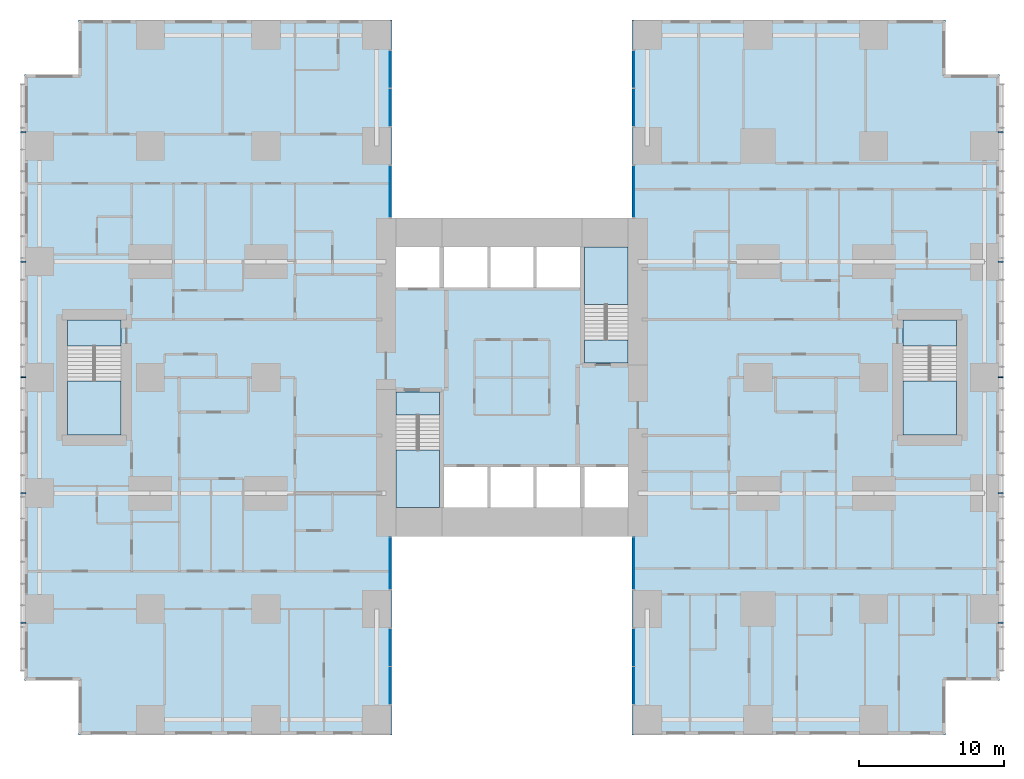
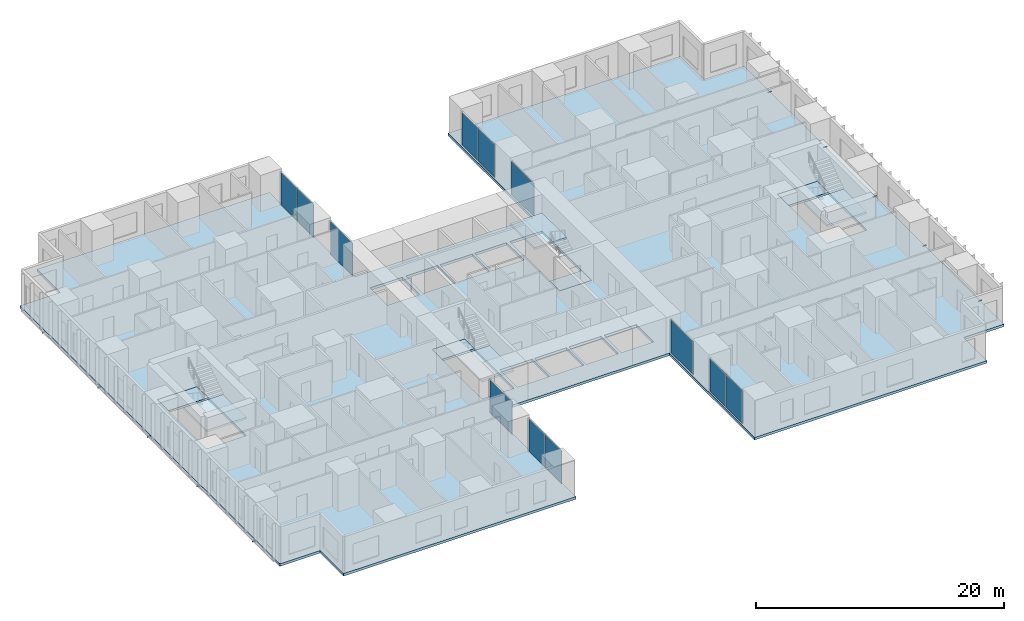
# One storey, part 7 of 20: 12 plates, 10 members, 9 slabs, 12 elements without a shape of their own.
"""IFC4 building model written with IfcOpenShell, lengths in metres."""

from ifc_helpers import new_model, si_unit, direction, frame, origin, origin_2d, place, context, subcontext, project, spatial, polyline, rectangle, hollow_rectangle, outline, extrude, material, layer, layer_set, material_profile, profile_set, type_object, element, aggregate, save


model = new_model("IFC4")

# Units and contexts
model_context = context("Model", 3, precision=1e-05, world=origin(), true_north=direction((0.0, 1.0)))
body_context = subcontext(model_context, "Body", "Model", "MODEL_VIEW")
ifc_project = project(units=[si_unit("LENGTHUNIT", "METRE"), si_unit("AREAUNIT", "SQUARE_METRE"), si_unit("VOLUMEUNIT", "CUBIC_METRE"), si_unit("PLANEANGLEUNIT", "RADIAN"), si_unit("MASSUNIT", "GRAM", prefix="KILO")], contexts=[model_context])

# Site, building, storey
site_placement = place(None, origin())
site = spatial("IfcSite", under=ifc_project, at=site_placement, CompositionType="ELEMENT")
building_placement = place(site_placement, origin())
building = spatial("IfcBuilding", under=site, at=building_placement, Name="Cleftline Residences", CompositionType="ELEMENT")
storey_placement = place(building_placement, frame((0.0, 0.0, 51.199951171875)))
storey = spatial("IfcBuildingStorey", under=building, at=storey_placement, Name="L12", CompositionType="ELEMENT", Elevation=51.199951171875)

# Members
ifc_material_1 = material(Name="Steel S355, hot-dip galvanised", Category="steel")
ifc_material_profile = material_profile(ifc_material_1, hollow_rectangle(XDim=0.10009765625, YDim=0.10009765625, WallThickness=0.008056640625, InnerFilletRadius=0.008056640625, OuterFilletRadius=0.011962890625, at=origin_2d()))
ifc_profile_set = profile_set([ifc_material_profile], Name="Steel S355, hot-dip galvanised")
member_type = type_object("IfcMemberType", Name="BAGUETTE BRACKET SHS 100X100X8", PredefinedType="USERDEFINED", material=ifc_profile_set)
for number, where, z_axis, x_axis, name in (
    (1, (66.60009765625, 7.050048828125, -0.14990234375), (1.0, 0.0, 0.0), (0.0, 1.0, 0.0), "Baguette bracket"),
    (2, (66.60009765625, 16.0, -0.14990234375), (1.0, 0.0, 0.0), (0.0, 1.0, 0.0), "Baguette bracket"),
    (3, (66.60009765625, 24.0, -0.14990234375), (1.0, 0.0, 0.0), (0.0, 1.0, 0.0), "Baguette bracket"),
    (4, (66.60009765625, 32.0, -0.14990234375), (1.0, 0.0, 0.0), (0.0, 1.0, 0.0), "Baguette bracket"),
    (5, (66.60009765625, 40.949951171875, -0.14990234375), (1.0, 0.0, 0.0), (0.0, 1.0, 0.0), "Baguette bracket"),
    (6, (-0.60009765625, 40.949951171875, -0.14990234375), (-1.0, 0.0, 0.0), (0.0, -1.0, 0.0), "Baguette bracket"),
    (7, (-0.60009765625, 32.0, -0.14990234375), (-1.0, 0.0, 0.0), (0.0, -1.0, 0.0), "Baguette bracket"),
    (8, (-0.60009765625, 24.0, -0.14990234375), (-1.0, 0.0, 0.0), (0.0, -1.0, 0.0), "Baguette bracket"),
    (9, (-0.60009765625, 16.0, -0.14990234375), (-1.0, 0.0, 0.0), (0.0, -1.0, 0.0), "Baguette bracket"),
    (10, (-0.60009765625, 7.050048828125, -0.14990234375), (-1.0, 0.0, 0.0), (0.0, -1.0, 0.0), "Baguette bracket"),
):
    element("IfcMember", number, at=place(storey_placement, frame(where, z_axis=z_axis, x_axis=x_axis)), inside=storey, type_object=member_type, Name=name, ObjectType="BAGUETTE BRACKET", PredefinedType="USERDEFINED", context=body_context, shape_type="SweptSolid", body=[
        extrude(hollow_rectangle(XDim=0.10009765625, YDim=0.10009765625, WallThickness=0.008056640625, InnerFilletRadius=0.008056640625, OuterFilletRadius=0.011962890625, at=origin_2d()), origin(), (0.0, 0.0, 1.0), 0.349853515625),
    ])

# Curtain wall, plates
ifc_material_2 = material(Name="Aluminium framed curtain wall", Category="aluminium")
ifc_layer_1 = layer(ifc_material_2, 0.199951171875)
ifc_layer_set_1 = layer_set([ifc_layer_1], Name="CW1 CLEFT GLAZING")
curtain_wall_type = type_object("IfcCurtainWallType", Name="CW1 CLEFT GLAZING", PredefinedType="NOTDEFINED", material=ifc_layer_set_1)
curtain_wall_1_placement = place(storey_placement, origin())
curtain_wall_1 = element("IfcCurtainWall", 11, at=curtain_wall_1_placement, inside=storey, type_object=curtain_wall_type, Name="Curtain wall CW1", PredefinedType="NOTDEFINED")
ifc_material_3 = material(Name="Laminated clear glass", Category="glass")
ifc_layer_2 = layer(ifc_material_3, 0.028076171875)
ifc_layer_set_2 = layer_set([ifc_layer_2], Name="CW1 GLASS PANEL")
plate_type = type_object("IfcPlateType", Name="CW1 GLASS PANEL", PredefinedType="CURTAIN_PANEL", material=ifc_layer_set_2)
plate_1_placement = place(storey_placement, frame((24.574951171875, 2.702392578125, 0.06005859375), z_axis=(0.0, 0.0, 1.0), x_axis=(0.0, 1.0, 0.0)))
plate_1 = element("IfcPlate", 12, at=plate_1_placement, type_object=plate_type, Name="CW1 panel 1.1", PredefinedType="CURTAIN_PANEL", context=body_context, shape_type="SweptSolid", body=[
    extrude(rectangle(XDim=2.5849609375, YDim=0.028076171875, at=origin_2d()), origin(), (0.0, 0.0, 1.0), 3.22998046875),
])
plate_2_placement = place(storey_placement, frame((24.574951171875, 5.347412109375, 0.06005859375), z_axis=(0.0, 0.0, 1.0), x_axis=(0.0, 1.0, 0.0)))
plate_2 = element("IfcPlate", 13, at=plate_2_placement, type_object=plate_type, Name="CW1 panel 2.1", PredefinedType="CURTAIN_PANEL", context=body_context, shape_type="SweptSolid", body=[
    extrude(rectangle(XDim=2.5849609375, YDim=0.028076171875, at=origin_2d()), origin(), (0.0, 0.0, 1.0), 3.22998046875),
])
aggregate(curtain_wall_1, [plate_1, plate_2])

# Curtain wall, plate
curtain_wall_2_placement = place(storey_placement, origin())
curtain_wall_2 = element("IfcCurtainWall", 14, at=curtain_wall_2_placement, inside=storey, type_object=curtain_wall_type, Name="Curtain wall CW1", PredefinedType="NOTDEFINED")
plate_3_placement = place(storey_placement, frame((24.574951171875, 11.14990234375, 0.06005859375), z_axis=(0.0, 0.0, 1.0), x_axis=(0.0, 1.0, 0.0)))
plate_3 = element("IfcPlate", 15, at=plate_3_placement, type_object=plate_type, Name="CW1 panel 1.1", PredefinedType="CURTAIN_PANEL", context=body_context, shape_type="SweptSolid", body=[
    extrude(rectangle(XDim=3.580078125, YDim=0.028076171875, at=origin_2d()), origin(), (0.0, 0.0, 1.0), 3.22998046875),
])
aggregate(curtain_wall_2, [plate_3])

curtain_wall_3_placement = place(storey_placement, origin())
curtain_wall_3 = element("IfcCurtainWall", 16, at=curtain_wall_3_placement, inside=storey, type_object=curtain_wall_type, Name="Curtain wall CW1", PredefinedType="NOTDEFINED")
plate_4_placement = place(storey_placement, frame((41.425048828125, 11.14990234375, 0.06005859375), z_axis=(0.0, 0.0, 1.0), x_axis=(0.0, -1.0, 0.0)))
plate_4 = element("IfcPlate", 17, at=plate_4_placement, type_object=plate_type, Name="CW1 panel 1.1", PredefinedType="CURTAIN_PANEL", context=body_context, shape_type="SweptSolid", body=[
    extrude(rectangle(XDim=3.580078125, YDim=0.028076171875, at=origin_2d()), origin(), (0.0, 0.0, 1.0), 3.22998046875),
])
aggregate(curtain_wall_3, [plate_4])

# Curtain wall, plates
curtain_wall_4_placement = place(storey_placement, origin())
curtain_wall_4 = element("IfcCurtainWall", 18, at=curtain_wall_4_placement, inside=storey, type_object=curtain_wall_type, Name="Curtain wall CW1", PredefinedType="NOTDEFINED")
plate_5_placement = place(storey_placement, frame((41.425048828125, 5.347412109375, 0.06005859375), z_axis=(0.0, 0.0, 1.0), x_axis=(0.0, -1.0, 0.0)))
plate_5 = element("IfcPlate", 19, at=plate_5_placement, type_object=plate_type, Name="CW1 panel 1.1", PredefinedType="CURTAIN_PANEL", context=body_context, shape_type="SweptSolid", body=[
    extrude(rectangle(XDim=2.5849609375, YDim=0.028076171875, at=origin_2d()), origin(), (0.0, 0.0, 1.0), 3.22998046875),
])
plate_6_placement = place(storey_placement, frame((41.425048828125, 2.702392578125, 0.06005859375), z_axis=(0.0, 0.0, 1.0), x_axis=(0.0, -1.0, 0.0)))
plate_6 = element("IfcPlate", 20, at=plate_6_placement, type_object=plate_type, Name="CW1 panel 2.1", PredefinedType="CURTAIN_PANEL", context=body_context, shape_type="SweptSolid", body=[
    extrude(rectangle(XDim=2.5849609375, YDim=0.028076171875, at=origin_2d()), origin(), (0.0, 0.0, 1.0), 3.22998046875),
])
aggregate(curtain_wall_4, [plate_5, plate_6])

curtain_wall_5_placement = place(storey_placement, origin())
curtain_wall_5 = element("IfcCurtainWall", 21, at=curtain_wall_5_placement, inside=storey, type_object=curtain_wall_type, Name="Curtain wall CW1", PredefinedType="NOTDEFINED")
plate_7_placement = place(storey_placement, frame((41.425048828125, 45.297607421875, 0.06005859375), z_axis=(0.0, 0.0, 1.0), x_axis=(0.0, -1.0, 0.0)))
plate_7 = element("IfcPlate", 22, at=plate_7_placement, type_object=plate_type, Name="CW1 panel 1.1", PredefinedType="CURTAIN_PANEL", context=body_context, shape_type="SweptSolid", body=[
    extrude(rectangle(XDim=2.5849609375, YDim=0.028076171875, at=origin_2d()), origin(), (0.0, 0.0, 1.0), 3.22998046875),
])
plate_8_placement = place(storey_placement, frame((41.425048828125, 42.652587890625, 0.06005859375), z_axis=(0.0, 0.0, 1.0), x_axis=(0.0, -1.0, 0.0)))
plate_8 = element("IfcPlate", 23, at=plate_8_placement, type_object=plate_type, Name="CW1 panel 2.1", PredefinedType="CURTAIN_PANEL", context=body_context, shape_type="SweptSolid", body=[
    extrude(rectangle(XDim=2.5849609375, YDim=0.028076171875, at=origin_2d()), origin(), (0.0, 0.0, 1.0), 3.22998046875),
])
aggregate(curtain_wall_5, [plate_7, plate_8])

# Curtain wall, plate
curtain_wall_6_placement = place(storey_placement, origin())
curtain_wall_6 = element("IfcCurtainWall", 24, at=curtain_wall_6_placement, inside=storey, type_object=curtain_wall_type, Name="Curtain wall CW1", PredefinedType="NOTDEFINED")
plate_9_placement = place(storey_placement, frame((41.425048828125, 36.85009765625, 0.06005859375), z_axis=(0.0, 0.0, 1.0), x_axis=(0.0, -1.0, 0.0)))
plate_9 = element("IfcPlate", 25, at=plate_9_placement, type_object=plate_type, Name="CW1 panel 1.1", PredefinedType="CURTAIN_PANEL", context=body_context, shape_type="SweptSolid", body=[
    extrude(rectangle(XDim=3.580078125, YDim=0.028076171875, at=origin_2d()), origin(), (0.0, 0.0, 1.0), 3.22998046875),
])
aggregate(curtain_wall_6, [plate_9])

curtain_wall_7_placement = place(storey_placement, origin())
curtain_wall_7 = element("IfcCurtainWall", 26, at=curtain_wall_7_placement, inside=storey, type_object=curtain_wall_type, Name="Curtain wall CW1", PredefinedType="NOTDEFINED")
plate_10_placement = place(storey_placement, frame((24.574951171875, 36.85009765625, 0.06005859375), z_axis=(0.0, 0.0, 1.0), x_axis=(0.0, 1.0, 0.0)))
plate_10 = element("IfcPlate", 27, at=plate_10_placement, type_object=plate_type, Name="CW1 panel 1.1", PredefinedType="CURTAIN_PANEL", context=body_context, shape_type="SweptSolid", body=[
    extrude(rectangle(XDim=3.580078125, YDim=0.028076171875, at=origin_2d()), origin(), (0.0, 0.0, 1.0), 3.22998046875),
])
aggregate(curtain_wall_7, [plate_10])

# Curtain wall, plates
curtain_wall_8_placement = place(storey_placement, origin())
curtain_wall_8 = element("IfcCurtainWall", 28, at=curtain_wall_8_placement, inside=storey, type_object=curtain_wall_type, Name="Curtain wall CW1", PredefinedType="NOTDEFINED")
plate_11_placement = place(storey_placement, frame((24.574951171875, 42.652587890625, 0.06005859375), z_axis=(0.0, 0.0, 1.0), x_axis=(0.0, 1.0, 0.0)))
plate_11 = element("IfcPlate", 29, at=plate_11_placement, type_object=plate_type, Name="CW1 panel 1.1", PredefinedType="CURTAIN_PANEL", context=body_context, shape_type="SweptSolid", body=[
    extrude(rectangle(XDim=2.5849609375, YDim=0.028076171875, at=origin_2d()), origin(), (0.0, 0.0, 1.0), 3.22998046875),
])
plate_12_placement = place(storey_placement, frame((24.574951171875, 45.297607421875, 0.06005859375), z_axis=(0.0, 0.0, 1.0), x_axis=(0.0, 1.0, 0.0)))
plate_12 = element("IfcPlate", 30, at=plate_12_placement, type_object=plate_type, Name="CW1 panel 2.1", PredefinedType="CURTAIN_PANEL", context=body_context, shape_type="SweptSolid", body=[
    extrude(rectangle(XDim=2.5849609375, YDim=0.028076171875, at=origin_2d()), origin(), (0.0, 0.0, 1.0), 3.22998046875),
])
aggregate(curtain_wall_8, [plate_11, plate_12])

# Slab
ifc_material_4 = material(Name="Concrete B45", Category="concrete")
ifc_layer_3 = layer(ifc_material_4, 0.25)
ifc_layer_set_3 = layer_set([ifc_layer_3], Name="FLOOR SLAB 250")
slab_type_1 = type_object("IfcSlabType", Name="FLOOR SLAB 250", PredefinedType="FLOOR", material=ifc_layer_set_3)
slab_1_placement = place(storey_placement, frame((0.0, 0.0, -0.25)))
element("IfcSlab", 31, at=slab_1_placement, inside=storey, type_object=slab_type_1, Name="Floor slab L12", PredefinedType="FLOOR", context=body_context, shape_type="SweptSolid", body=[
    extrude(outline(polyline([(24.699951171875, 13.0), (41.300048828125, 13.0), (41.300048828125, -0.699951171875), (62.949951171875, -0.699951171875), (62.949951171875, 3.050048828125), (66.699951171875, 3.050048828125), (66.699951171875, 44.949951171875), (62.949951171875, 44.949951171875), (62.949951171875, 48.699951171875), (41.300048828125, 48.699951171875), (41.300048828125, 35.0), (24.699951171875, 35.0), (24.699951171875, 48.699951171875), (3.050048828125, 48.699951171875), (3.050048828125, 44.949951171875), (-0.699951171875, 44.949951171875), (-0.699951171875, 3.050048828125), (3.050048828125, 3.050048828125), (3.050048828125, -0.699951171875), (24.699951171875, -0.699951171875), (24.699951171875, 13.0)]), holes=[polyline([(28.0, 15.0), (28.0, 23.0), (25.0, 23.0), (25.0, 15.0), (28.0, 15.0)]), polyline([(41.0, 25.0), (41.0, 33.0), (38.0, 33.0), (38.0, 25.0), (41.0, 25.0)]), polyline([(28.0, 30.199951171875), (28.0, 33.0), (25.0, 33.0), (25.0, 30.199951171875), (28.0, 30.199951171875)]), polyline([(41.0, 15.0), (41.0, 17.800048828125), (38.0, 17.800048828125), (38.0, 15.0), (41.0, 15.0)]), polyline([(31.300048828125, 15.0), (31.300048828125, 17.800048828125), (28.300048828125, 17.800048828125), (28.300048828125, 15.0), (31.300048828125, 15.0)]), polyline([(34.5, 15.0), (34.5, 17.800048828125), (31.5, 17.800048828125), (31.5, 15.0), (34.5, 15.0)]), polyline([(37.699951171875, 15.0), (37.699951171875, 17.800048828125), (34.699951171875, 17.800048828125), (34.699951171875, 15.0), (37.699951171875, 15.0)]), polyline([(31.300048828125, 30.199951171875), (31.300048828125, 33.0), (28.300048828125, 33.0), (28.300048828125, 30.199951171875), (31.300048828125, 30.199951171875)]), polyline([(34.5, 30.199951171875), (34.5, 33.0), (31.5, 33.0), (31.5, 30.199951171875), (34.5, 30.199951171875)]), polyline([(37.699951171875, 30.199951171875), (37.699951171875, 33.0), (34.699951171875, 33.0), (34.699951171875, 30.199951171875), (37.699951171875, 30.199951171875)]), polyline([(63.72509765625, 20.02490234375), (63.72509765625, 27.97509765625), (60.02490234375, 27.97509765625), (60.02490234375, 20.02490234375), (63.72509765625, 20.02490234375)]), polyline([(5.97509765625, 20.02490234375), (5.97509765625, 27.97509765625), (2.27490234375, 27.97509765625), (2.27490234375, 20.02490234375), (5.97509765625, 20.02490234375)])]), origin(), (0.0, 0.0, 1.0), 0.25),
])

# Stair, slabs
ifc_material_5 = material(Name="Concrete B45, stone treads", Category="masonry")
stair_type_1 = type_object("IfcStairType", Name="STAIR A 1450 WIDE 180 RISER", PredefinedType="HALF_TURN_STAIR", material=ifc_material_5)
stair_1_placement = place(storey_placement, origin())
stair_1 = element("IfcStair", 32, at=stair_1_placement, inside=storey, type_object=stair_type_1, Name="Stair A L12", PredefinedType="HALF_TURN_STAIR")
ifc_material_6 = material(Name="Concrete B45", Category="concrete")
ifc_layer_4 = layer(ifc_material_6, 0.199951171875)
ifc_layer_set_4 = layer_set([ifc_layer_4], Name="STAIR LANDING 200")
slab_type_2 = type_object("IfcSlabType", Name="STAIR LANDING 200", PredefinedType="LANDING", material=ifc_layer_set_4)
slab_2_placement = place(storey_placement, frame((0.0, 0.0, -0.199951171875)))
slab_2 = element("IfcSlab", 33, at=slab_2_placement, type_object=slab_type_2, Name="ST-A landing 1", PredefinedType="LANDING", context=body_context, shape_type="SweptSolid", body=[
    extrude(outline(polyline([(25.0, 21.39990234375), (28.0, 21.39990234375), (28.0, 23.0), (25.0, 23.0), (25.0, 21.39990234375)])), origin(), (0.0, 0.0, 1.0), 0.199951171875),
])
slab_3_placement = place(storey_placement, frame((0.0, 0.0, 1.60009765625)))
slab_3 = element("IfcSlab", 34, at=slab_3_placement, type_object=slab_type_2, Name="ST-A landing 2", PredefinedType="LANDING", context=body_context, shape_type="SweptSolid", body=[
    extrude(outline(polyline([(25.0, 15.0), (28.0, 15.0), (28.0, 18.969970703125), (25.0, 18.969970703125), (25.0, 15.0)])), origin(), (0.0, 0.0, 1.0), 0.199951171875),
])
aggregate(stair_1, [slab_2, slab_3])

ifc_material_7 = material(Name="Concrete B45, stone treads", Category="masonry")
stair_type_2 = type_object("IfcStairType", Name="STAIR B 1450 WIDE 180 RISER", PredefinedType="HALF_TURN_STAIR", material=ifc_material_7)
stair_2_placement = place(storey_placement, origin())
stair_2 = element("IfcStair", 35, at=stair_2_placement, inside=storey, type_object=stair_type_2, Name="Stair B L12", PredefinedType="HALF_TURN_STAIR")
slab_4_placement = place(storey_placement, frame((0.0, 0.0, -0.199951171875)))
slab_4 = element("IfcSlab", 36, at=slab_4_placement, type_object=slab_type_2, Name="ST-B landing 1", PredefinedType="LANDING", context=body_context, shape_type="SweptSolid", body=[
    extrude(outline(polyline([(38.0, 25.0), (41.0, 25.0), (41.0, 26.60009765625), (38.0, 26.60009765625), (38.0, 25.0)])), origin(), (0.0, 0.0, 1.0), 0.199951171875),
])
slab_5_placement = place(storey_placement, frame((0.0, 0.0, 1.60009765625)))
slab_5 = element("IfcSlab", 37, at=slab_5_placement, type_object=slab_type_2, Name="ST-B landing 2", PredefinedType="LANDING", context=body_context, shape_type="SweptSolid", body=[
    extrude(outline(polyline([(38.0, 29.030029296875), (41.0, 29.030029296875), (41.0, 33.0), (38.0, 33.0), (38.0, 29.030029296875)])), origin(), (0.0, 0.0, 1.0), 0.199951171875),
])
aggregate(stair_2, [slab_4, slab_5])

ifc_material_8 = material(Name="Concrete B45, stone treads", Category="masonry")
stair_type_3 = type_object("IfcStairType", Name="STAIR E 1800 WIDE 180 RISER", PredefinedType="HALF_TURN_STAIR", material=ifc_material_8)
stair_3_placement = place(storey_placement, origin())
stair_3 = element("IfcStair", 38, at=stair_3_placement, inside=storey, type_object=stair_type_3, Name="Stair E L12", PredefinedType="HALF_TURN_STAIR")
slab_6_placement = place(storey_placement, frame((0.0, 0.0, -0.199951171875)))
slab_6 = element("IfcSlab", 39, at=slab_6_placement, type_object=slab_type_2, Name="ST-E landing 1", PredefinedType="LANDING", context=body_context, shape_type="SweptSolid", body=[
    extrude(outline(polyline([(60.02490234375, 26.175048828125), (63.72509765625, 26.175048828125), (63.72509765625, 27.97509765625), (60.02490234375, 27.97509765625), (60.02490234375, 26.175048828125)])), origin(), (0.0, 0.0, 1.0), 0.199951171875),
])
slab_7_placement = place(storey_placement, frame((0.0, 0.0, 1.60009765625)))
slab_7 = element("IfcSlab", 40, at=slab_7_placement, type_object=slab_type_2, Name="ST-E landing 2", PredefinedType="LANDING", context=body_context, shape_type="SweptSolid", body=[
    extrude(outline(polyline([(60.02490234375, 20.02490234375), (63.72509765625, 20.02490234375), (63.72509765625, 23.7451171875), (60.02490234375, 23.7451171875), (60.02490234375, 20.02490234375)])), origin(), (0.0, 0.0, 1.0), 0.199951171875),
])
aggregate(stair_3, [slab_6, slab_7])

ifc_material_9 = material(Name="Concrete B45, stone treads", Category="masonry")
stair_type_4 = type_object("IfcStairType", Name="STAIR W 1800 WIDE 180 RISER", PredefinedType="HALF_TURN_STAIR", material=ifc_material_9)
stair_4_placement = place(storey_placement, origin())
stair_4 = element("IfcStair", 41, at=stair_4_placement, inside=storey, type_object=stair_type_4, Name="Stair W L12", PredefinedType="HALF_TURN_STAIR")
slab_8_placement = place(storey_placement, frame((0.0, 0.0, -0.199951171875)))
slab_8 = element("IfcSlab", 42, at=slab_8_placement, type_object=slab_type_2, Name="ST-W landing 1", PredefinedType="LANDING", context=body_context, shape_type="SweptSolid", body=[
    extrude(outline(polyline([(2.27490234375, 26.175048828125), (5.97509765625, 26.175048828125), (5.97509765625, 27.97509765625), (2.27490234375, 27.97509765625), (2.27490234375, 26.175048828125)])), origin(), (0.0, 0.0, 1.0), 0.199951171875),
])
slab_9_placement = place(storey_placement, frame((0.0, 0.0, 1.60009765625)))
slab_9 = element("IfcSlab", 43, at=slab_9_placement, type_object=slab_type_2, Name="ST-W landing 2", PredefinedType="LANDING", context=body_context, shape_type="SweptSolid", body=[
    extrude(outline(polyline([(2.27490234375, 20.02490234375), (5.97509765625, 20.02490234375), (5.97509765625, 23.7451171875), (2.27490234375, 23.7451171875), (2.27490234375, 20.02490234375)])), origin(), (0.0, 0.0, 1.0), 0.199951171875),
])
aggregate(stair_4, [slab_8, slab_9])

save(model, "model.ifc")
